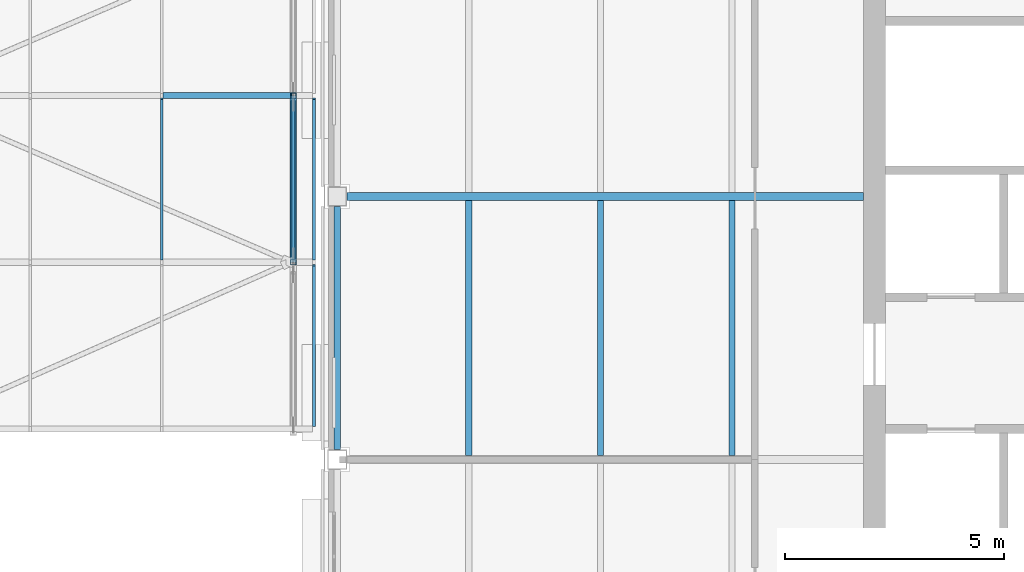
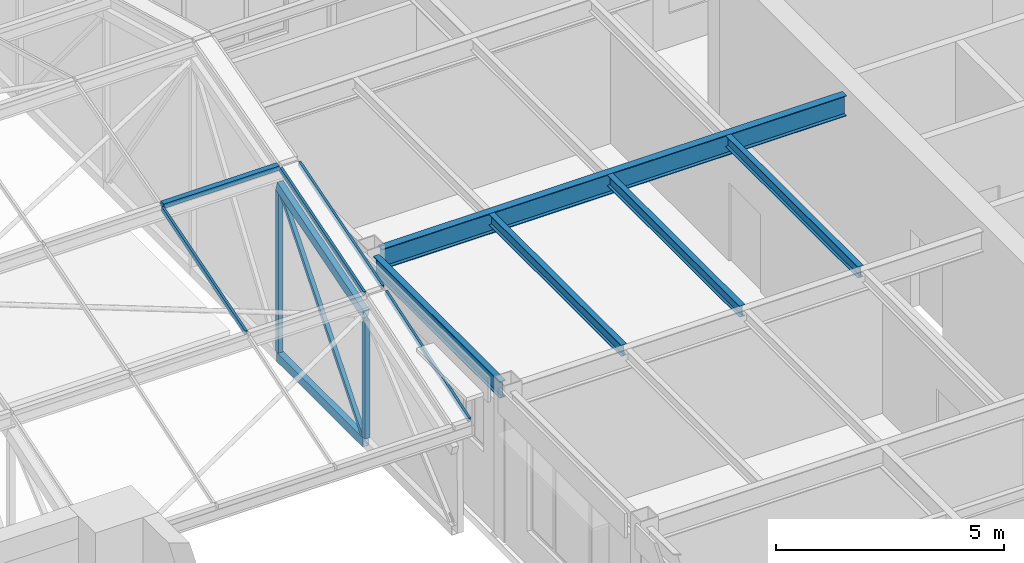
# One storey, part 40 of 82: 10 members, 5 beams, 1 element without a shape of its own.
"""IFC4 building model written with IfcOpenShell, lengths in metres."""

from ifc_helpers import new_model, si_unit, direction, frame, origin, origin_2d, place, context, subcontext, project, spatial, rectangle, hollow_rectangle, i_section, extrude, material, material_profile, profile_set, type_object, element, aggregate, save


model = new_model("IFC4")

# Units and contexts
model_context = context("Model", 3, precision=1e-05, world=origin(), true_north=direction((0.0, 1.0)))
body_context = subcontext(model_context, "Body", "Model", "MODEL_VIEW")
ifc_project = project(units=[si_unit("LENGTHUNIT", "METRE"), si_unit("AREAUNIT", "SQUARE_METRE"), si_unit("VOLUMEUNIT", "CUBIC_METRE"), si_unit("PLANEANGLEUNIT", "RADIAN"), si_unit("MASSUNIT", "GRAM", prefix="KILO")], contexts=[model_context])

# Site, building, storey
site_placement = place(None, origin())
site = spatial("IfcSite", under=ifc_project, at=site_placement, CompositionType="ELEMENT")
building_placement = place(site_placement, origin())
building = spatial("IfcBuilding", under=site, at=building_placement, Name="Aravalli Gate Trade Fair Centre", CompositionType="ELEMENT")
storey_placement = place(building_placement, frame((0.0, 0.0, 19.199951171875)))
storey = spatial("IfcBuildingStorey", under=building, at=storey_placement, Name="L04", CompositionType="ELEMENT", Elevation=19.199951171875)

# Members
ifc_material_1 = material(Name="Steel E350", Category="steel")
ifc_material_profile_1 = material_profile(ifc_material_1, hollow_rectangle(XDim=0.14990234375, YDim=0.25, WallThickness=0.010009765625, at=origin_2d()), Name="RHS 250x150x10")
ifc_profile_set_1 = profile_set([ifc_material_profile_1], Name="Steel E350")
member_type_1 = type_object("IfcMemberType", Name="RHS 250x150x10 CT2 truss chord", PredefinedType="CHORD", material=ifc_profile_set_1)
member_1_placement = place(storey_placement, frame((159.0, 113.5, 3.549560546875), z_axis=(0.0, 0.957138110877, 0.289631898634), x_axis=(-1.0, 0.0, 0.0)))
element("IfcMember", 1, at=member_1_placement, inside=storey, type_object=member_type_1, Name="Concourse vault truss CT2 line E top chord T2", PredefinedType="CHORD", context=body_context, shape_type="SweptSolid", body=[
    extrude(hollow_rectangle(XDim=0.14990234375, YDim=0.25, WallThickness=0.010009765625, at=origin_2d()), origin(), (0.0, 0.0, 1.0), 3.97021484375),
])
member_2_placement = place(storey_placement, frame((159.0, 113.5, 0.125), z_axis=(0.0, 1.0, 0.0), x_axis=(-1.0, 0.0, 0.0)))
element("IfcMember", 2, at=member_2_placement, inside=storey, type_object=member_type_1, Name="Concourse vault truss CT2 line E bottom chord B2", PredefinedType="CHORD", context=body_context, shape_type="SweptSolid", body=[
    extrude(hollow_rectangle(XDim=0.14990234375, YDim=0.25, WallThickness=0.010009765625, at=origin_2d()), origin(), (0.0, 0.0, 1.0), 3.800048828125),
])
ifc_material_profile_2 = material_profile(ifc_material_1, hollow_rectangle(XDim=0.10009765625, YDim=0.10009765625, WallThickness=0.006103515625, at=origin_2d()), Name="SHS 100x100x6")
ifc_profile_set_2 = profile_set([ifc_material_profile_2], Name="Steel E350")
member_type_2 = type_object("IfcMemberType", Name="SHS 100x100x6 CT2 truss diagonal", PredefinedType="BRACE", material=ifc_profile_set_2)
member_3_placement = place(storey_placement, frame((159.0, 113.603759765625, 0.25), z_axis=(0.0, 0.638999701162, 0.769206982493), x_axis=(-1.0, 0.0, 0.0)))
element("IfcMember", 3, at=member_3_placement, inside=storey, type_object=member_type_2, Name="Concourse vault truss CT2 line E diagonal D2", PredefinedType="BRACE", context=body_context, shape_type="SweptSolid", body=[
    extrude(hollow_rectangle(XDim=0.10009765625, YDim=0.10009765625, WallThickness=0.006103515625, at=origin_2d()), origin(), (0.0, 0.0, 1.0), 5.5576171875),
])
ifc_material_profile_3 = material_profile(ifc_material_1, hollow_rectangle(XDim=0.125, YDim=0.125, WallThickness=0.006103515625, at=origin_2d()), Name="SHS 125x125x6")
ifc_profile_set_3 = profile_set([ifc_material_profile_3], Name="Steel E350")
member_type_3 = type_object("IfcMemberType", Name="SHS 125x125x6 CT2 truss post", PredefinedType="POST", material=ifc_profile_set_3)
member_4_placement = place(storey_placement, frame((159.0, 113.5, 0.25), z_axis=(0.0, 0.0, 1.0), x_axis=(1.0, 0.0, 0.0)))
element("IfcMember", 4, at=member_4_placement, inside=storey, type_object=member_type_3, Name="Concourse vault truss CT2 line E post V1", PredefinedType="POST", context=body_context, shape_type="SweptSolid", body=[
    extrude(hollow_rectangle(XDim=0.125, YDim=0.125, WallThickness=0.006103515625, at=origin_2d()), origin(), (0.0, 0.0, 1.0), 3.166748046875),
])
member_5_placement = place(storey_placement, frame((159.0, 117.300048828125, 0.25), z_axis=(0.0, 0.0, 1.0), x_axis=(1.0, 0.0, 0.0)))
element("IfcMember", 5, at=member_5_placement, inside=storey, type_object=member_type_3, Name="Concourse vault truss CT2 line E post V2", PredefinedType="POST", context=body_context, shape_type="SweptSolid", body=[
    extrude(hollow_rectangle(XDim=0.125, YDim=0.125, WallThickness=0.006103515625, at=origin_2d()), origin(), (0.0, 0.0, 1.0), 4.31884765625),
])
ifc_material_2 = material(Name="Aluminium", Category="aluminium")
ifc_material_profile_4 = material_profile(ifc_material_2, rectangle(XDim=0.139892578125, YDim=0.1201171875, at=origin_2d()), Name="Vault fold cap 140 x 120")
ifc_profile_set_4 = profile_set([ifc_material_profile_4], Name="Aluminium")
member_type_4 = type_object("IfcMemberType", Name="Vault fold cap 140 x 120", PredefinedType="USERDEFINED", material=ifc_profile_set_4)
member_6_placement = place(storey_placement, frame((156.030029296875, 117.300048828125, 5.209228515625), z_axis=(1.0, 0.0, 0.0), x_axis=(0.0, 1.0, 0.0)))
element("IfcMember", 6, at=member_6_placement, inside=storey, type_object=member_type_4, Name="Vault fold cap e19.2", ObjectType="FOLD CAP", PredefinedType="USERDEFINED", context=body_context, shape_type="SweptSolid", body=[
    extrude(rectangle(XDim=0.139892578125, YDim=0.1201171875, at=origin_2d()), origin(), (0.0, 0.0, 1.0), 2.93994140625),
])

# Curtain wall, members
ifc_material_3 = material(Name="Aluminium and glass", Category="aluminium")
curtain_wall_type = type_object("IfcCurtainWallType", Name="Vault curtain wall, sloped glazing", PredefinedType="NOTDEFINED", material=ifc_material_3)
curtain_wall_placement = place(storey_placement, origin())
curtain_wall = element("IfcCurtainWall", 7, at=curtain_wall_placement, inside=storey, type_object=curtain_wall_type, Name="Vault curtain wall e", PredefinedType="NOTDEFINED")
ifc_material_profile_5 = material_profile(ifc_material_2, rectangle(XDim=0.06005859375, YDim=0.1201171875, at=origin_2d()), Name="Vault glazing bar 60 x 120")
ifc_profile_set_5 = profile_set([ifc_material_profile_5], Name="Aluminium")
member_type_5 = type_object("IfcMemberType", Name="Vault glazing bar 60 x 120", PredefinedType="USERDEFINED", material=ifc_profile_set_5)
member_7_placement = place(storey_placement, frame((156.0, 113.570068359375, 4.05859375), z_axis=(0.0, 0.957125834694, 0.289672464279), x_axis=(-1.0, 0.0, 0.0)))
member_7 = element("IfcMember", 8, at=member_7_placement, type_object=member_type_5, Name="Vault glazing bar e19.2", ObjectType="GLAZING BAR", PredefinedType="USERDEFINED", context=body_context, shape_type="SweptSolid", body=[
    extrude(rectangle(XDim=0.06005859375, YDim=0.1201171875, at=origin_2d()), origin(), (0.0, 0.0, 1.0), 3.823974609375),
])
member_8_placement = place(storey_placement, frame((159.0, 113.570068359375, 4.05859375), z_axis=(0.0, 0.957125834694, 0.289672464279), x_axis=(-1.0, 0.0, 0.0)))
member_8 = element("IfcMember", 9, at=member_8_placement, type_object=member_type_5, Name="Vault glazing bar e20.2", ObjectType="GLAZING BAR", PredefinedType="USERDEFINED", context=body_context, shape_type="SweptSolid", body=[
    extrude(rectangle(XDim=0.06005859375, YDim=0.1201171875, at=origin_2d()), origin(), (0.0, 0.0, 1.0), 3.823974609375),
])
member_9_placement = place(storey_placement, frame((159.469970703125, 109.77001953125, 2.81005859375), z_axis=(0.0, 0.949930492103, 0.31246129388), x_axis=(-1.0, 0.0, 0.0)))
member_9 = element("IfcMember", 10, at=member_9_placement, type_object=member_type_5, Name="Vault glazing bar e21.1", ObjectType="GLAZING BAR", PredefinedType="USERDEFINED", context=body_context, shape_type="SweptSolid", body=[
    extrude(rectangle(XDim=0.06005859375, YDim=0.1201171875, at=origin_2d()), origin(), (0.0, 0.0, 1.0), 3.852783203125),
])
member_10_placement = place(storey_placement, frame((159.469970703125, 113.570068359375, 4.05859375), z_axis=(0.0, 0.957125834694, 0.289672464279), x_axis=(-1.0, 0.0, 0.0)))
member_10 = element("IfcMember", 11, at=member_10_placement, type_object=member_type_5, Name="Vault glazing bar e21.2", ObjectType="GLAZING BAR", PredefinedType="USERDEFINED", context=body_context, shape_type="SweptSolid", body=[
    extrude(rectangle(XDim=0.06005859375, YDim=0.1201171875, at=origin_2d()), origin(), (0.0, 0.0, 1.0), 3.823974609375),
])
aggregate(curtain_wall, [member_7, member_8, member_9, member_10])

# Beams
ifc_material_profile_6 = material_profile(ifc_material_1, i_section(OverallWidth=0.18994140625, OverallDepth=0.550048828125, WebThickness=0.01123046875, FlangeThickness=0.019287109375, at=origin_2d()), Name="ISMB 550")
ifc_profile_set_6 = profile_set([ifc_material_profile_6], Name="Steel E350")
beam_type_1 = type_object("IfcBeamType", Name="Wing core to perimeter girder ISMB 550 (capital and roof)", PredefinedType="BEAM", material=ifc_profile_set_6)
beam_1_placement = place(storey_placement, frame((160.22509765625, 115.0, 3.72509765625), z_axis=(1.0, 0.0, 0.0), x_axis=(0.0, 1.0, 0.0)))
element("IfcBeam", 12, at=beam_1_placement, inside=storey, type_object=beam_type_1, Name="Core to perimeter girder PW2 ROOF LEVEL 1", PredefinedType="BEAM", context=body_context, shape_type="SweptSolid", body=[
    extrude(i_section(OverallWidth=0.18994140625, OverallDepth=0.550048828125, WebThickness=0.01123046875, FlangeThickness=0.019287109375, at=origin_2d()), origin(), (0.0, 0.0, 1.0), 11.77490234375),
])
ifc_material_profile_7 = material_profile(ifc_material_1, i_section(OverallWidth=0.14990234375, OverallDepth=0.449951171875, WebThickness=0.009521484375, FlangeThickness=0.017333984375, at=origin_2d()), Name="ISMB 450")
ifc_profile_set_7 = profile_set([ifc_material_profile_7], Name="Steel E350")
beam_type_2 = type_object("IfcBeamType", Name="Wing perimeter beam ISMB 450 (capital and roof)", PredefinedType="BEAM", material=ifc_profile_set_7)
beam_2_placement = place(storey_placement, frame((160.0, 109.22509765625, 3.775146484375), z_axis=(0.0, 1.0, 0.0), x_axis=(-1.0, 0.0, 0.0)))
element("IfcBeam", 13, at=beam_2_placement, inside=storey, type_object=beam_type_2, Name="Perimeter beam EW3 ROOF LEVEL 1", PredefinedType="BEAM", context=body_context, shape_type="SweptSolid", body=[
    extrude(i_section(OverallWidth=0.14990234375, OverallDepth=0.449951171875, WebThickness=0.009521484375, FlangeThickness=0.017333984375, at=origin_2d()), origin(), (0.0, 0.0, 1.0), 5.5498046875),
])
ifc_material_profile_8 = material_profile(ifc_material_1, i_section(OverallWidth=0.139892578125, OverallDepth=0.300048828125, WebThickness=0.0078125, FlangeThickness=0.01318359375, at=origin_2d()), Name="ISMB 300")
ifc_profile_set_8 = profile_set([ifc_material_profile_8], Name="Steel E350")
beam_type_3 = type_object("IfcBeamType", Name="Wing secondary beam ISMB 300 (capital and roof)", PredefinedType="BEAM", material=ifc_profile_set_8)
for number, where, z_axis, x_axis, name in (
    (14, (163.0, 109.094970703125, 3.85009765625), (0.0, 1.0, 0.0), (-1.0, 0.0, 0.0), "Secondary beam BW1163 ROOF LEVEL 1"),
    (15, (166.0, 109.094970703125, 3.85009765625), (0.0, 1.0, 0.0), (-1.0, 0.0, 0.0), "Secondary beam BW1166 ROOF LEVEL 1"),
    (16, (169.0, 109.094970703125, 3.85009765625), (0.0, 1.0, 0.0), (-1.0, 0.0, 0.0), "Secondary beam BW1169 ROOF LEVEL 1"),
):
    element("IfcBeam", number, at=place(storey_placement, frame(where, z_axis=z_axis, x_axis=x_axis)), inside=storey, type_object=beam_type_3, Name=name, PredefinedType="BEAM", context=body_context, shape_type="SweptSolid", body=[
        extrude(i_section(OverallWidth=0.139892578125, OverallDepth=0.300048828125, WebThickness=0.0078125, FlangeThickness=0.01318359375, at=origin_2d()), origin(), (0.0, 0.0, 1.0), 5.81005859375),
    ])

save(model, "model.ifc")
